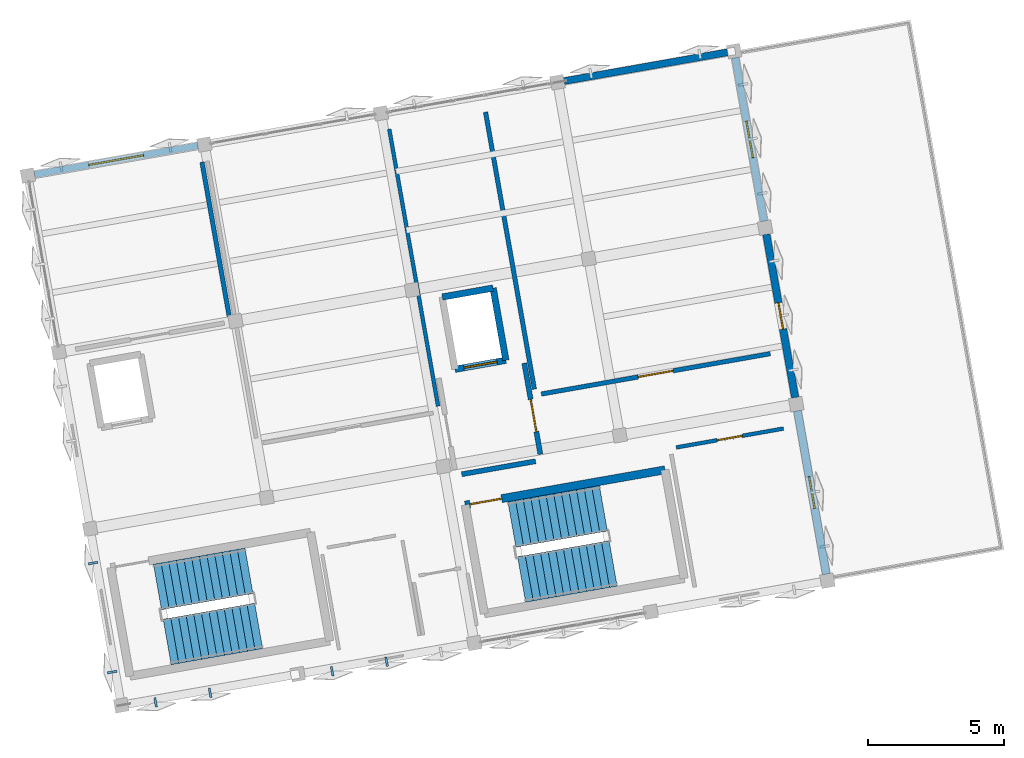
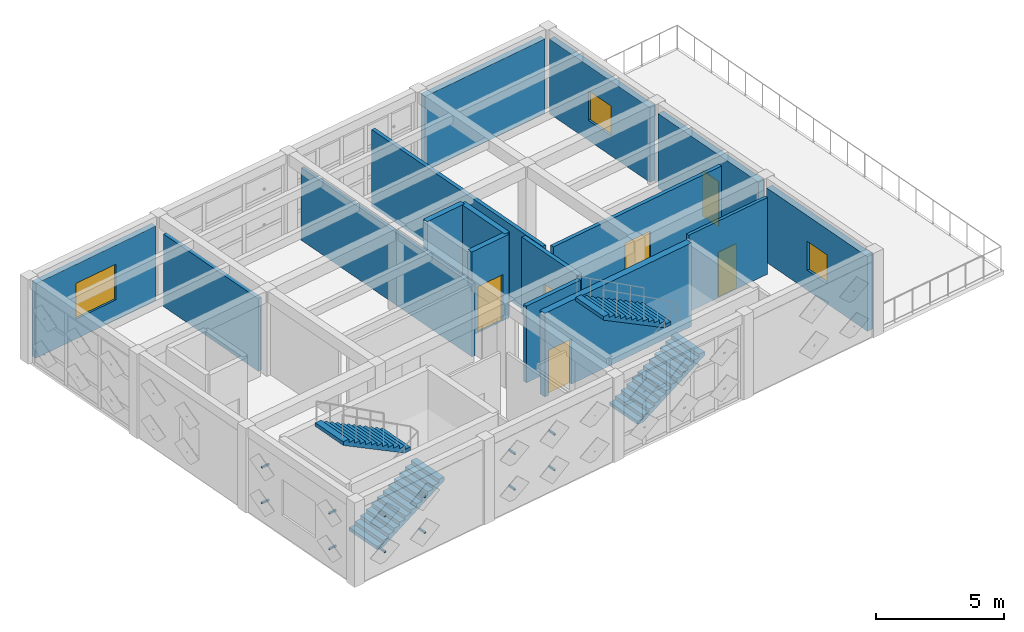
# One storey, part 10 of 13: 16 walls, 12 discrete accessories, 6 doors, 4 stair flights, 3 windows, 9 openings, 2 elements without a shape of their own.
"""IFC4 building model written with IfcOpenShell, lengths in metres."""

from ifc_helpers import new_model, si_unit, direction, frame, frame_2d, origin, origin_2d, place, context, subcontext, project, spatial, polyline, rectangle, hollow_rectangle, outline, extrude, material, layer, layer_set, type_object, element, fill, aggregate, save


model = new_model("IFC4")

# Units and contexts
model_context = context("Model", 3, precision=1e-05, world=origin(), true_north=direction((0.0, 1.0)))
body_context = subcontext(model_context, "Body", "Model", "MODEL_VIEW")
ifc_project = project(units=[si_unit("LENGTHUNIT", "METRE"), si_unit("AREAUNIT", "SQUARE_METRE"), si_unit("VOLUMEUNIT", "CUBIC_METRE"), si_unit("PLANEANGLEUNIT", "RADIAN"), si_unit("MASSUNIT", "GRAM", prefix="KILO")], contexts=[model_context])

# Site, building, storey
site_placement = place(None, origin())
site = spatial("IfcSite", under=ifc_project, at=site_placement, CompositionType="ELEMENT")
building_placement = place(site_placement, origin())
building = spatial("IfcBuilding", under=site, at=building_placement, Name="Kharisveld Research Institute", CompositionType="ELEMENT")
storey_placement = place(building_placement, frame((0.0, 0.0, 45.0)))
storey = spatial("IfcBuildingStorey", under=building, at=storey_placement, Name="L10", CompositionType="ELEMENT", Elevation=45.0)

# Walls
ifc_material_1 = material(Name="Concrete C40/50", Category="concrete")
ifc_layer_1 = layer(ifc_material_1, 0.239990234375)
ifc_layer_set_1 = layer_set([ifc_layer_1], Name="WL_CORE_240")
wall_type_1 = type_object("IfcWallType", Name="WL_CORE_240", PredefinedType="SHEAR", material=ifc_layer_set_1)
wall_1_placement = place(storey_placement, frame((17.01953125, 50.040771484375, 0.0), z_axis=(0.0, 0.0, 1.0), x_axis=(0.984815882103, 0.173602068988, 0.0)))
element("IfcWall", 1, at=wall_1_placement, inside=storey, type_object=wall_type_1, Name="WL:LFT:FFL-01:L10:N", PredefinedType="SHEAR", context=body_context, shape_type="SweptSolid", body=[
    extrude(rectangle(XDim=1.89990234375, YDim=0.239990234375, at=frame_2d((0.949951171875, 0.0))), origin(), (0.0, 0.0, 1.0), 3.97998046875),
])
wall_2_placement = place(storey_placement, frame((18.890625, 50.37060546875, 0.0), z_axis=(0.0, 0.0, 1.0), x_axis=(0.173615102578, -0.98481358447, 0.0)))
element("IfcWall", 2, at=wall_2_placement, inside=storey, type_object=wall_type_1, Name="WL:LFT:FFL-01:L10:E", PredefinedType="SHEAR", context=body_context, shape_type="SweptSolid", body=[
    extrude(rectangle(XDim=2.699951171875, YDim=0.239990234375, at=frame_2d((1.35009765625, 0.0))), origin(), (0.0, 0.0, 1.0), 3.97998046875),
])

# Wall, opening, door
wall_3_placement = place(storey_placement, frame((19.359375, 47.711669921875, 0.0), z_axis=(0.0, 0.0, 1.0), x_axis=(-0.984815882103, -0.173602068988, 0.0)))
wall_3 = element("IfcWall", 3, at=wall_3_placement, inside=storey, type_object=wall_type_1, Name="WL:LFT:FFL-01:L10:S", PredefinedType="SHEAR", context=body_context, shape_type="SweptSolid", body=[
    extrude(rectangle(XDim=1.89990234375, YDim=0.239990234375, at=frame_2d((0.949951171875, 0.0))), origin(), (0.0, 0.0, 1.0), 3.97998046875),
])
opening_1_placement = place(wall_3_placement, frame((0.324951171875, 0.0, 0.0)))
opening_1 = element("IfcOpeningElement", 4, at=opening_1_placement, cuts=wall_3, Name="Opening LD-02", PredefinedType="OPENING", context=body_context, shape_type="SweptSolid", body=[
    extrude(rectangle(XDim=1.25, YDim=2.199951171875, at=frame_2d((0.625, 1.10009765625))), frame((0.0, 0.1201171875, 0.0), z_axis=(0.0, -1.0, 0.0), x_axis=(1.0, 0.0, 0.0)), (0.0, 0.0, 1.0), 0.239990234375),
])
ifc_material_2 = material(Name="Flush Painted Hardwood and Anodised Aluminium", Category="wood")
door_type_1 = type_object("IfcDoorType", Name="DR_LFT_125", OperationType="SLIDING_TO_RIGHT", PredefinedType="DOOR", material=ifc_material_2)
door_1_placement = place(opening_1_placement, origin())
door_1 = element("IfcDoor", 5, at=door_1_placement, inside=storey, type_object=door_type_1, Name="FFL-01 Lift Landing Door L10", OperationType="SLIDING_TO_RIGHT", OverallHeight=2.199951171875, OverallWidth=1.25, PredefinedType="DOOR", context=body_context, shape_type="SweptSolid", body=[
    extrude(rectangle(XDim=1.25, YDim=2.199951171875, at=frame_2d((0.625, 1.10009765625))), frame((0.0, 0.02490234375, 0.0), z_axis=(0.0, -1.0, 0.0), x_axis=(1.0, 0.0, 0.0)), (0.0, 0.0, 1.0), 0.050048828125),
])
fill(opening_1, door_1)

ifc_material_3 = material(Name="Concrete C40/50", Category="concrete")
ifc_layer_2 = layer(ifc_material_3, 0.300048828125)
ifc_layer_set_2 = layer_set([ifc_layer_2], Name="WL_CORE_300")
wall_type_2 = type_object("IfcWallType", Name="WL_CORE_300", PredefinedType="SHEAR", material=ifc_layer_set_2)
wall_4_placement = place(storey_placement, frame((17.862548828125, 42.380859375, 0.0), z_axis=(0.0, 0.0, 1.0), x_axis=(0.984808225754, 0.173645496596, 0.0)))
wall_4 = element("IfcWall", 6, at=wall_4_placement, inside=storey, type_object=wall_type_2, Name="WL:STR:ST2:L10:N", PredefinedType="SHEAR", context=body_context, shape_type="SweptSolid", body=[
    extrude(rectangle(XDim=7.469970703125, YDim=0.300048828125, at=frame_2d((3.73486328125, 0.0))), origin(), (0.0, 0.0, 1.0), 3.97998046875),
])
opening_2_placement = place(wall_4_placement, frame((0.179931640625, 0.0, 0.0)))
opening_2 = element("IfcOpeningElement", 7, at=opening_2_placement, cuts=wall_4, Name="Opening DS-025", PredefinedType="OPENING", context=body_context, shape_type="SweptSolid", body=[
    extrude(rectangle(XDim=1.179931640625, YDim=2.14990234375, at=frame_2d((0.58984375, 1.074951171875))), frame((0.0, 0.14990234375, 0.0), z_axis=(0.0, -1.0, 0.0), x_axis=(1.0, 0.0, 0.0)), (0.0, 0.0, 1.0), 0.300048828125),
])
ifc_material_4 = material(Name="Flush Painted Hardwood and Anodised Aluminium", Category="wood")
door_type_2 = type_object("IfcDoorType", Name="DR_FD60_118", OperationType="NOTDEFINED", PredefinedType="DOOR", material=ifc_material_4)
door_2_placement = place(opening_2_placement, origin())
door_2 = element("IfcDoor", 8, at=door_2_placement, inside=storey, type_object=door_type_2, Name="DR:STR:ST2:L10", OperationType="SINGLE_SWING_RIGHT", OverallHeight=2.14990234375, OverallWidth=1.179931640625, PredefinedType="DOOR", context=body_context, shape_type="SweptSolid", body=[
    extrude(rectangle(XDim=1.179931640625, YDim=2.14990234375, at=frame_2d((0.58984375, 1.074951171875))), frame((0.0, 0.02490234375, 0.0), z_axis=(0.0, -1.0, 0.0), x_axis=(1.0, 0.0, 0.0)), (0.0, 0.0, 1.0), 0.050048828125),
])
fill(opening_2, door_2)

# Wall, opening, window
ifc_material_5 = material(Name="Lightweight Acoustic Spandrel", Category="mineral")
ifc_layer_3 = layer(ifc_material_5, 0.2451171875)
ifc_layer_set_3 = layer_set([ifc_layer_3], Name="WL_EXT_245")
wall_type_3 = type_object("IfcWallType", Name="WL_EXT_245", PredefinedType="STANDARD", material=ifc_layer_set_3)
wall_5_placement = place(storey_placement, frame((2.0029296875, 54.5517578125, 0.0), z_axis=(0.0, 0.0, 1.0), x_axis=(0.984807282173, 0.173650847905, 0.0)))
wall_5 = element("IfcWall", 9, at=wall_5_placement, inside=storey, type_object=wall_type_3, Name="WL:V1:L10:N0", PredefinedType="STANDARD", context=body_context, shape_type="SweptSolid", body=[
    extrude(rectangle(XDim=6.110107421875, YDim=0.2451171875, at=frame_2d((3.05517578125, 0.0))), origin(), (0.0, 0.0, 1.0), 3.554931640625),
])
opening_3_placement = place(wall_5_placement, frame((2.030029296875, 0.0, 0.949951171875)))
opening_3 = element("IfcOpeningElement", 10, at=opening_3_placement, cuts=wall_5, Name="Opening WN-20", PredefinedType="OPENING", context=body_context, shape_type="SweptSolid", body=[
    extrude(rectangle(XDim=2.050048828125, YDim=1.699951171875, at=frame_2d((1.02490234375, 0.85009765625))), frame((0.0, 0.12255859375, 0.0), z_axis=(0.0, -1.0, 0.0), x_axis=(1.0, 0.0, 0.0)), (0.0, 0.0, 1.0), 0.2451171875),
])
ifc_material_6 = material(Name="Low-E Double Glazing", Category="glass")
window_type_1 = type_object("IfcWindowType", Name="WN_20", PartitioningType="DOUBLE_PANEL_VERTICAL", PredefinedType="WINDOW", material=ifc_material_6)
window_1_placement = place(opening_3_placement, origin())
window_1 = element("IfcWindow", 11, at=window_1_placement, inside=storey, type_object=window_type_1, Name="WN:V1:L10:N0", OverallHeight=1.699951171875, OverallWidth=2.050048828125, PartitioningType="SINGLE_PANEL", PredefinedType="WINDOW", context=body_context, shape_type="SweptSolid", body=[
    extrude(rectangle(XDim=2.050048828125, YDim=1.699951171875, at=frame_2d((1.02490234375, 0.85009765625))), frame((0.0, 0.030029296875, 0.0), z_axis=(0.0, -1.0, 0.0), x_axis=(1.0, 0.0, 0.0)), (0.0, 0.0, 1.0), 0.06005859375),
])
fill(opening_3, window_1)

# Wall
ifc_material_7 = material(Name="Precast Concrete C40/50 Thermal Wall", Category="concrete")
ifc_layer_4 = layer(ifc_material_7, 0.260009765625)
ifc_layer_set_4 = layer_set([ifc_layer_4], Name="WL_EXT_260")
wall_type_4 = type_object("IfcWallType", Name="WL_EXT_260", PredefinedType="STANDARD", material=ifc_layer_set_4)
wall_6_placement = place(storey_placement, frame((21.502197265625, 57.989990234375, 0.0), z_axis=(0.0, 0.0, 1.0), x_axis=(0.984807282173, 0.173650847905, 0.0)))
element("IfcWall", 12, at=wall_6_placement, inside=storey, type_object=wall_type_4, Name="WL:V1:L10:N3", PredefinedType="STANDARD", context=body_context, shape_type="SweptSolid", body=[
    extrude(rectangle(XDim=6.110107421875, YDim=0.260009765625, at=frame_2d((3.05517578125, 0.0))), origin(), (0.0, 0.0, 1.0), 3.554931640625),
])

# Wall, opening, window
wall_7_placement = place(storey_placement, frame((27.80322265625, 58.852294921875, 0.0), z_axis=(0.0, 0.0, 1.0), x_axis=(0.173650847905, -0.984807282173, 0.0)))
wall_7 = element("IfcWall", 13, at=wall_7_placement, inside=storey, type_object=wall_type_4, Name="WL:V1:L10:E3", PredefinedType="STANDARD", context=body_context, shape_type="SweptSolid", body=[
    extrude(rectangle(XDim=6.110107421875, YDim=0.260009765625, at=frame_2d((3.05517578125, 0.0))), origin(), (0.0, 0.0, 1.0), 3.554931640625),
])
opening_4_placement = place(wall_7_placement, frame((2.3701171875, 0.0, 0.949951171875)))
opening_4 = element("IfcOpeningElement", 14, at=opening_4_placement, cuts=wall_7, Name="Opening WN-23", PredefinedType="OPENING", context=body_context, shape_type="SweptSolid", body=[
    extrude(rectangle(XDim=1.3701171875, YDim=1.419921875, at=frame_2d((0.68505859375, 0.7099609375))), frame((0.0, 0.1298828125, 0.0), z_axis=(0.0, -1.0, 0.0), x_axis=(1.0, 0.0, 0.0)), (0.0, 0.0, 1.0), 0.260009765625),
])
ifc_material_8 = material(Name="Low-E Double Glazing", Category="glass")
window_type_2 = type_object("IfcWindowType", Name="WN_23", PartitioningType="DOUBLE_PANEL_VERTICAL", PredefinedType="WINDOW", material=ifc_material_8)
window_2_placement = place(opening_4_placement, origin())
window_2 = element("IfcWindow", 15, at=window_2_placement, inside=storey, type_object=window_type_2, Name="WN:V1:L10:E3", OverallHeight=1.419921875, OverallWidth=1.3701171875, PartitioningType="SINGLE_PANEL", PredefinedType="WINDOW", context=body_context, shape_type="SweptSolid", body=[
    extrude(rectangle(XDim=1.3701171875, YDim=1.419921875, at=frame_2d((0.68505859375, 0.7099609375))), frame((0.0, 0.030029296875, 0.0), z_axis=(0.0, -1.0, 0.0), x_axis=(1.0, 0.0, 0.0)), (0.0, 0.0, 1.0), 0.06005859375),
])
fill(opening_4, window_2)

# Wall, opening, door
ifc_material_9 = material(Name="Precast Concrete C40/50 Thermal Wall", Category="concrete")
ifc_layer_5 = layer(ifc_material_9, 0.27490234375)
ifc_layer_set_5 = layer_set([ifc_layer_5], Name="WL_EXT_275")
wall_type_5 = type_object("IfcWallType", Name="WL_EXT_275", PredefinedType="STANDARD", material=ifc_layer_set_5)
wall_8_placement = place(storey_placement, frame((28.94921875, 52.3525390625, 0.0), z_axis=(0.0, 0.0, 1.0), x_axis=(0.173650847905, -0.984807282173, 0.0)))
wall_8 = element("IfcWall", 16, at=wall_8_placement, inside=storey, type_object=wall_type_5, Name="WL:V1:L10:E2", PredefinedType="STANDARD", context=body_context, shape_type="SweptSolid", body=[
    extrude(rectangle(XDim=6.110107421875, YDim=0.27490234375, at=frame_2d((3.05517578125, 0.0))), origin(), (0.0, 0.0, 1.0), 3.554931640625),
])
opening_5_placement = place(wall_8_placement, frame((2.56494140625, 0.0, 0.0)))
opening_5 = element("IfcOpeningElement", 17, at=opening_5_placement, cuts=wall_8, Name="Opening DE-108", PredefinedType="OPENING", context=body_context, shape_type="SweptSolid", body=[
    extrude(rectangle(XDim=0.97998046875, YDim=2.14990234375, at=frame_2d((0.489990234375, 1.074951171875))), frame((0.0, 0.137451171875, 0.0), z_axis=(0.0, -1.0, 0.0), x_axis=(1.0, 0.0, 0.0)), (0.0, 0.0, 1.0), 0.27490234375),
])
ifc_material_10 = material(Name="Thermally Broken Powder-Coated Aluminium", Category="aluminium")
door_type_3 = type_object("IfcDoorType", Name="DR_EXT_098", OperationType="NOTDEFINED", PredefinedType="DOOR", material=ifc_material_10)
door_3_placement = place(opening_5_placement, origin())
door_3 = element("IfcDoor", 18, at=door_3_placement, inside=storey, type_object=door_type_3, Name="DR:V1:L10:TER_E2", OperationType="SINGLE_SWING_LEFT", OverallHeight=2.14990234375, OverallWidth=0.97998046875, PredefinedType="DOOR", context=body_context, shape_type="SweptSolid", body=[
    extrude(rectangle(XDim=0.97998046875, YDim=2.14990234375, at=frame_2d((0.489990234375, 1.074951171875))), frame((0.0, 0.02490234375, 0.0), z_axis=(0.0, -1.0, 0.0), x_axis=(1.0, 0.0, 0.0)), (0.0, 0.0, 1.0), 0.050048828125),
])
fill(opening_5, door_3)

# Wall, opening, window
ifc_material_11 = material(Name="Precast Concrete C40/50 Thermal Wall", Category="concrete")
ifc_layer_6 = layer(ifc_material_11, 0.2900390625)
ifc_layer_set_6 = layer_set([ifc_layer_6], Name="WL_EXT_290")
wall_type_6 = type_object("IfcWallType", Name="WL_EXT_290", PredefinedType="STANDARD", material=ifc_layer_set_6)
wall_9_placement = place(storey_placement, frame((30.095458984375, 45.852783203125, 0.0), z_axis=(0.0, 0.0, 1.0), x_axis=(0.173657681232, -0.98480607723, 0.0)))
wall_9 = element("IfcWall", 19, at=wall_9_placement, inside=storey, type_object=wall_type_6, Name="WL:V1:L10:E1", PredefinedType="STANDARD", context=body_context, shape_type="SweptSolid", body=[
    extrude(rectangle(XDim=6.10986328125, YDim=0.2900390625, at=frame_2d((3.054931640625, 0.0))), origin(), (0.0, 0.0, 1.0), 3.554931640625),
])
opening_6_placement = place(wall_9_placement, frame((2.4599609375, 0.0, 0.949951171875)))
opening_6 = element("IfcOpeningElement", 20, at=opening_6_placement, cuts=wall_9, Name="Opening WN-21", PredefinedType="OPENING", context=body_context, shape_type="SweptSolid", body=[
    extrude(rectangle(XDim=1.18994140625, YDim=1.3798828125, at=frame_2d((0.594970703125, 0.68994140625))), frame((0.0, 0.14501953125, 0.0), z_axis=(0.0, -1.0, 0.0), x_axis=(1.0, 0.0, 0.0)), (0.0, 0.0, 1.0), 0.2900390625),
])
ifc_material_12 = material(Name="Low-E Double Glazing", Category="glass")
window_type_3 = type_object("IfcWindowType", Name="WN_21", PartitioningType="DOUBLE_PANEL_VERTICAL", PredefinedType="WINDOW", material=ifc_material_12)
window_3_placement = place(opening_6_placement, origin())
window_3 = element("IfcWindow", 21, at=window_3_placement, inside=storey, type_object=window_type_3, Name="WN:V1:L10:E1", OverallHeight=1.3798828125, OverallWidth=1.18994140625, PartitioningType="SINGLE_PANEL", PredefinedType="WINDOW", context=body_context, shape_type="SweptSolid", body=[
    extrude(rectangle(XDim=1.18994140625, YDim=1.3798828125, at=frame_2d((0.594970703125, 0.68994140625))), frame((0.0, 0.030029296875, 0.0), z_axis=(0.0, -1.0, 0.0), x_axis=(1.0, 0.0, 0.0)), (0.0, 0.0, 1.0), 0.06005859375),
])
fill(opening_6, window_3)

# Wall
ifc_material_13 = material(Name="Acoustic Drywall Partition", Category="mineral")
ifc_layer_7 = layer(ifc_material_13, 0.1650390625)
ifc_layer_set_7 = layer_set([ifc_layer_7], Name="WL_LAB_165")
wall_type_7 = type_object("IfcWallType", Name="WL_LAB_165", PredefinedType="PARTITIONING", material=ifc_layer_set_7)
wall_10_placement = place(storey_placement, frame((9.17236328125, 49.33740234375, 0.0), z_axis=(0.0, 0.0, 1.0), x_axis=(-0.173649928941, 0.984807444214, 0.0)))
element("IfcWall", 22, at=wall_10_placement, inside=storey, type_object=wall_type_7, Name="WL:RM:V1:L10:NW10:E", PredefinedType="PARTITIONING", context=body_context, shape_type="SweptSolid", body=[
    extrude(rectangle(XDim=5.760009765625, YDim=0.1650390625, at=frame_2d((2.8798828125, 0.0))), origin(), (0.0, 0.0, 1.0), 3.455078125),
])

# Wall, opening, door
wall_11_placement = place(storey_placement, frame((20.6650390625, 46.469482421875, 0.0), z_axis=(0.0, 0.0, 1.0), x_axis=(0.984804798714, 0.173664931489, 0.0)))
wall_11 = element("IfcWall", 23, at=wall_11_placement, inside=storey, type_object=wall_type_7, Name="WL:RM:V1:L10:BRD:S", PredefinedType="PARTITIONING", context=body_context, shape_type="SweptSolid", body=[
    extrude(rectangle(XDim=8.56005859375, YDim=0.1650390625, at=frame_2d((4.280029296875, 0.0))), origin(), (0.0, 0.0, 1.0), 3.64990234375),
])
opening_7_placement = place(wall_11_placement, frame((3.6298828125, 0.0, 0.0)))
opening_7 = element("IfcOpeningElement", 24, at=opening_7_placement, cuts=wall_11, Name="Opening DI-165", PredefinedType="OPENING", context=body_context, shape_type="SweptSolid", body=[
    extrude(rectangle(XDim=1.300048828125, YDim=2.179931640625, at=frame_2d((0.64990234375, 1.08984375))), frame((0.0, 0.08251953125, 0.0), z_axis=(0.0, -1.0, 0.0), x_axis=(1.0, 0.0, 0.0)), (0.0, 0.0, 1.0), 0.1650390625),
])
ifc_material_14 = material(Name="Flush Painted Hardwood and Anodised Aluminium", Category="wood")
door_type_4 = type_object("IfcDoorType", Name="DR_SEM_130", OperationType="DOUBLE_DOOR_SINGLE_SWING", PredefinedType="DOOR", material=ifc_material_14)
door_4_placement = place(opening_7_placement, origin())
door_4 = element("IfcDoor", 25, at=door_4_placement, inside=storey, type_object=door_type_4, Name="DR:RM:V1:L10:BRD:S", OperationType="DOUBLE_DOOR_SINGLE_SWING", OverallHeight=2.179931640625, OverallWidth=1.300048828125, PredefinedType="DOOR", context=body_context, shape_type="SweptSolid", body=[
    extrude(rectangle(XDim=1.300048828125, YDim=2.179931640625, at=frame_2d((0.64990234375, 1.08984375))), frame((0.0, 0.02490234375, 0.0), z_axis=(0.0, -1.0, 0.0), x_axis=(1.0, 0.0, 0.0)), (0.0, 0.0, 1.0), 0.050048828125),
])
fill(opening_7, door_4)

# Walls
wall_12_placement = place(storey_placement, frame((18.611083984375, 56.8505859375, 0.0), z_axis=(0.0, 0.0, 1.0), x_axis=(0.173654930775, -0.984806562233, 0.0)))
element("IfcWall", 26, at=wall_12_placement, inside=storey, type_object=wall_type_7, Name="WL:RM:V1:L10:BRD:W", PredefinedType="PARTITIONING", context=body_context, shape_type="SweptSolid", body=[
    extrude(rectangle(XDim=10.360107421875, YDim=0.1650390625, at=frame_2d((5.18017578125, 0.0))), origin(), (0.0, 0.0, 1.0), 3.64990234375),
])
ifc_material_15 = material(Name="Masonry Blockwork", Category="masonry")
ifc_layer_8 = layer(ifc_material_15, 0.18505859375)
ifc_layer_set_8 = layer_set([ifc_layer_8], Name="WL_LOB_185")
wall_type_8 = type_object("IfcWallType", Name="WL_LOB_185", PredefinedType="SOLIDWALL", material=ifc_layer_set_8)
wall_13_placement = place(storey_placement, frame((17.7333984375, 43.515625, 0.0), z_axis=(0.0, 0.0, 1.0), x_axis=(0.984808483292, 0.173644035992, 0.0)))
element("IfcWall", 27, at=wall_13_placement, inside=storey, type_object=wall_type_8, Name="WL:RM:V1:L10:FFL:S", PredefinedType="SOLIDWALL", context=body_context, shape_type="SweptSolid", body=[
    extrude(rectangle(XDim=2.760009765625, YDim=0.18505859375, at=frame_2d((1.3798828125, 0.0))), origin(), (0.0, 0.0, 1.0), 3.64990234375),
])

# Wall, opening, door
wall_14_placement = place(storey_placement, frame((20.6298828125, 44.249755859375, 0.0), z_axis=(0.0, 0.0, 1.0), x_axis=(-0.173621956536, 0.984812376145, 0.0)))
wall_14 = element("IfcWall", 28, at=wall_14_placement, inside=storey, type_object=wall_type_8, Name="WL:RM:V1:L10:FFL:E", PredefinedType="SOLIDWALL", context=body_context, shape_type="SweptSolid", body=[
    extrude(rectangle(XDim=3.409912109375, YDim=0.18505859375, at=frame_2d((1.705078125, 0.0))), origin(), (0.0, 0.0, 1.0), 3.64990234375),
])
opening_8_placement = place(wall_14_placement, frame((0.85009765625, 0.0, 0.0)))
opening_8 = element("IfcOpeningElement", 29, at=opening_8_placement, cuts=wall_14, Name="Opening DI-159", PredefinedType="OPENING", context=body_context, shape_type="SweptSolid", body=[
    extrude(rectangle(XDim=1.199951171875, YDim=2.14990234375, at=frame_2d((0.60009765625, 1.074951171875))), frame((0.0, 0.092529296875, 0.0), z_axis=(0.0, -1.0, 0.0), x_axis=(1.0, 0.0, 0.0)), (0.0, 0.0, 1.0), 0.18505859375),
])
ifc_material_16 = material(Name="Flush Painted Hardwood and Anodised Aluminium", Category="wood")
door_type_5 = type_object("IfcDoorType", Name="DR_FD120_120", OperationType="NOTDEFINED", PredefinedType="DOOR", material=ifc_material_16)
door_5_placement = place(opening_8_placement, origin())
door_5 = element("IfcDoor", 30, at=door_5_placement, inside=storey, type_object=door_type_5, Name="DR:RM:V1:L10:FFL:E", OperationType="SINGLE_SWING_RIGHT", OverallHeight=2.14990234375, OverallWidth=1.199951171875, PredefinedType="DOOR", context=body_context, shape_type="SweptSolid", body=[
    extrude(rectangle(XDim=1.199951171875, YDim=2.14990234375, at=frame_2d((0.60009765625, 1.074951171875))), frame((0.0, 0.02490234375, 0.0), z_axis=(0.0, -1.0, 0.0), x_axis=(1.0, 0.0, 0.0)), (0.0, 0.0, 1.0), 0.050048828125),
])
fill(opening_8, door_5)

# Wall
ifc_material_17 = material(Name="Insulated Stud Partition", Category="mineral")
ifc_layer_9 = layer(ifc_material_17, 0.139892578125)
ifc_layer_set_9 = layer_set([ifc_layer_9], Name="WL_OFF_140")
wall_type_9 = type_object("IfcWallType", Name="WL_OFF_140", PredefinedType="PARTITIONING", material=ifc_layer_set_9)
wall_15_placement = place(storey_placement, frame((16.86474609375, 46.02294921875, 0.0), z_axis=(0.0, 0.0, 1.0), x_axis=(-0.173632075677, 0.984810592092, 0.0)))
element("IfcWall", 31, at=wall_15_placement, inside=storey, type_object=wall_type_9, Name="WL:RM:V1:L10:DIR:E", PredefinedType="PARTITIONING", context=body_context, shape_type="SweptSolid", body=[
    extrude(rectangle(XDim=10.360107421875, YDim=0.139892578125, at=frame_2d((5.18017578125, 0.0))), origin(), (0.0, 0.0, 1.0), 3.455078125),
])

# Wall, opening, door
wall_16_placement = place(storey_placement, frame((29.581298828125, 45.198486328125, 0.0), z_axis=(0.0, 0.0, 1.0), x_axis=(-0.984810514369, -0.173632516505, 0.0)))
wall_16 = element("IfcWall", 32, at=wall_16_placement, inside=storey, type_object=wall_type_9, Name="WL:RM:V1:L10:WU10:N", PredefinedType="PARTITIONING", context=body_context, shape_type="SweptSolid", body=[
    extrude(rectangle(XDim=4.010009765625, YDim=0.139892578125, at=frame_2d((2.0048828125, 0.0))), origin(), (0.0, 0.0, 1.0), 3.64990234375),
])
opening_9_placement = place(wall_16_placement, frame((1.534912109375, 0.0, 0.0)))
opening_9 = element("IfcOpeningElement", 33, at=opening_9_placement, cuts=wall_16, Name="Opening DI-166", PredefinedType="OPENING", context=body_context, shape_type="SweptSolid", body=[
    extrude(rectangle(XDim=0.93994140625, YDim=2.1201171875, at=frame_2d((0.469970703125, 1.06005859375))), frame((0.0, 0.06982421875, 0.0), z_axis=(0.0, -1.0, 0.0), x_axis=(1.0, 0.0, 0.0)), (0.0, 0.0, 1.0), 0.139892578125),
])
ifc_material_18 = material(Name="Flush Painted Hardwood and Anodised Aluminium", Category="wood")
door_type_6 = type_object("IfcDoorType", Name="DR_OFF_094", OperationType="NOTDEFINED", PredefinedType="DOOR", material=ifc_material_18)
door_6_placement = place(opening_9_placement, origin())
door_6 = element("IfcDoor", 34, at=door_6_placement, inside=storey, type_object=door_type_6, Name="DR:RM:V1:L10:WU10:N", OperationType="SINGLE_SWING_RIGHT", OverallHeight=2.1201171875, OverallWidth=0.93994140625, PredefinedType="DOOR", context=body_context, shape_type="SweptSolid", body=[
    extrude(rectangle(XDim=0.93994140625, YDim=2.1201171875, at=frame_2d((0.469970703125, 1.06005859375))), frame((0.0, 0.02490234375, 0.0), z_axis=(0.0, -1.0, 0.0), x_axis=(1.0, 0.0, 0.0)), (0.0, 0.0, 1.0), 0.050048828125),
])
fill(opening_9, door_6)

# Stair, stair flights
ifc_material_19 = material(Name="Concrete C40/50", Category="concrete")
stair_type = type_object("IfcStairType", Name="ST_EXIT_170", PredefinedType="TWO_STRAIGHT_RUN_STAIR", material=ifc_material_19)
stair_1_placement = place(storey_placement, origin())
stair_1 = element("IfcStair", 35, at=stair_1_placement, inside=storey, type_object=stair_type, Name="STR:ST1:L10", PredefinedType="TWO_STRAIGHT_RUN_STAIR")
ifc_material_20 = material(Name="Concrete C40/50", Category="concrete")
stair_flight_type = type_object("IfcStairFlightType", Name="SF_RUN_170", PredefinedType="STRAIGHT", material=ifc_material_20)
stair_flight_1_placement = place(storey_placement, frame((6.891357421875, 37.339111328125, 0.0), z_axis=(0.0, 0.0, 1.0), x_axis=(0.984807753012, 0.173648177667, 0.0)))
stair_flight_1 = element("IfcStairFlight", 36, at=stair_flight_1_placement, type_object=stair_flight_type, Name="ST-01 flight 1", NumberOfRisers=13, NumberOfTreads=12, PredefinedType="STRAIGHT", RiserHeight=0.161538, TreadLength=0.285, context=body_context, shape_type="SweptSolid", body=[
    extrude(outline(polyline([(0.0, 0.0), (0.0, 0.16162109375), (0.284912109375, 0.16162109375), (0.284912109375, 0.322998046875), (0.570068359375, 0.322998046875), (0.570068359375, 0.484619140625), (0.85498046875, 0.484619140625), (0.85498046875, 0.646240234375), (1.139892578125, 0.646240234375), (1.139892578125, 0.8076171875), (1.425048828125, 0.8076171875), (1.425048828125, 0.96923828125), (1.7099609375, 0.96923828125), (1.7099609375, 1.130859375), (1.9951171875, 1.130859375), (1.9951171875, 1.292236328125), (2.280029296875, 1.292236328125), (2.280029296875, 1.453857421875), (2.56494140625, 1.453857421875), (2.56494140625, 1.615478515625), (2.85009765625, 1.615478515625), (2.85009765625, 1.77685546875), (3.135009765625, 1.77685546875), (3.135009765625, 1.9384765625), (3.419921875, 1.9384765625), (3.419921875, 2.10009765625), (3.419921875, 1.76611328125), (0.303955078125, 0.0), (0.0, 0.0)])), frame((0.0, 0.85009765625, 0.0), z_axis=(0.0, -1.0, 0.0), x_axis=(1.0, 0.0, 0.0)), (0.0, 0.0, 1.0), 1.699951171875),
])
stair_flight_2_placement = place(storey_placement, frame((9.901611328125, 39.961669921875, 2.10009765625), z_axis=(0.0, 0.0, 1.0), x_axis=(-0.984807753012, -0.173648177667, 0.0)))
stair_flight_2 = element("IfcStairFlight", 37, at=stair_flight_2_placement, type_object=stair_flight_type, Name="ST-01 flight 2", NumberOfRisers=13, NumberOfTreads=12, PredefinedType="STRAIGHT", RiserHeight=0.161538, TreadLength=0.285, context=body_context, shape_type="SweptSolid", body=[
    extrude(outline(polyline([(0.0, 0.0), (0.0, 0.16162109375), (0.284912109375, 0.16162109375), (0.284912109375, 0.322998046875), (0.570068359375, 0.322998046875), (0.570068359375, 0.484619140625), (0.85498046875, 0.484619140625), (0.85498046875, 0.646240234375), (1.139892578125, 0.646240234375), (1.139892578125, 0.8076171875), (1.425048828125, 0.8076171875), (1.425048828125, 0.96923828125), (1.7099609375, 0.96923828125), (1.7099609375, 1.130859375), (1.9951171875, 1.130859375), (1.9951171875, 1.292236328125), (2.280029296875, 1.292236328125), (2.280029296875, 1.453857421875), (2.56494140625, 1.453857421875), (2.56494140625, 1.615478515625), (2.85009765625, 1.615478515625), (2.85009765625, 1.77685546875), (3.135009765625, 1.77685546875), (3.135009765625, 1.9384765625), (3.419921875, 1.9384765625), (3.419921875, 2.10009765625), (3.419921875, 1.76611328125), (0.303955078125, 0.0), (0.0, 0.0)])), frame((0.0, 0.85009765625, 0.0), z_axis=(0.0, -1.0, 0.0), x_axis=(1.0, 0.0, 0.0)), (0.0, 0.0, 1.0), 1.699951171875),
])
aggregate(stair_1, [stair_flight_1, stair_flight_2])

stair_2_placement = place(storey_placement, origin())
stair_2 = element("IfcStair", 38, at=stair_2_placement, inside=storey, type_object=stair_type, Name="STR:ST2:L10", PredefinedType="TWO_STRAIGHT_RUN_STAIR")
stair_flight_3_placement = place(storey_placement, frame((19.93994140625, 39.639892578125, 0.0), z_axis=(0.0, 0.0, 1.0), x_axis=(0.984807753012, 0.173648177667, 0.0)))
stair_flight_3 = element("IfcStairFlight", 39, at=stair_flight_3_placement, type_object=stair_flight_type, Name="ST-02 flight 1", NumberOfRisers=13, NumberOfTreads=12, PredefinedType="STRAIGHT", RiserHeight=0.161538, TreadLength=0.285, context=body_context, shape_type="SweptSolid", body=[
    extrude(outline(polyline([(0.0, 0.0), (0.0, 0.16162109375), (0.284912109375, 0.16162109375), (0.284912109375, 0.322998046875), (0.570068359375, 0.322998046875), (0.570068359375, 0.484619140625), (0.85498046875, 0.484619140625), (0.85498046875, 0.646240234375), (1.139892578125, 0.646240234375), (1.139892578125, 0.8076171875), (1.425048828125, 0.8076171875), (1.425048828125, 0.96923828125), (1.7099609375, 0.96923828125), (1.7099609375, 1.130859375), (1.9951171875, 1.130859375), (1.9951171875, 1.292236328125), (2.280029296875, 1.292236328125), (2.280029296875, 1.453857421875), (2.56494140625, 1.453857421875), (2.56494140625, 1.615478515625), (2.85009765625, 1.615478515625), (2.85009765625, 1.77685546875), (3.135009765625, 1.77685546875), (3.135009765625, 1.9384765625), (3.419921875, 1.9384765625), (3.419921875, 2.10009765625), (3.419921875, 1.76611328125), (0.303955078125, 0.0), (0.0, 0.0)])), frame((0.0, 0.85009765625, 0.0), z_axis=(0.0, -1.0, 0.0), x_axis=(1.0, 0.0, 0.0)), (0.0, 0.0, 1.0), 1.699951171875),
])
stair_flight_4_placement = place(storey_placement, frame((22.9501953125, 42.262451171875, 2.10009765625), z_axis=(0.0, 0.0, 1.0), x_axis=(-0.984807753012, -0.173648177667, 0.0)))
stair_flight_4 = element("IfcStairFlight", 40, at=stair_flight_4_placement, type_object=stair_flight_type, Name="ST-02 flight 2", NumberOfRisers=13, NumberOfTreads=12, PredefinedType="STRAIGHT", RiserHeight=0.161538, TreadLength=0.285, context=body_context, shape_type="SweptSolid", body=[
    extrude(outline(polyline([(0.0, 0.0), (0.0, 0.16162109375), (0.284912109375, 0.16162109375), (0.284912109375, 0.322998046875), (0.570068359375, 0.322998046875), (0.570068359375, 0.484619140625), (0.85498046875, 0.484619140625), (0.85498046875, 0.646240234375), (1.139892578125, 0.646240234375), (1.139892578125, 0.8076171875), (1.425048828125, 0.8076171875), (1.425048828125, 0.96923828125), (1.7099609375, 0.96923828125), (1.7099609375, 1.130859375), (1.9951171875, 1.130859375), (1.9951171875, 1.292236328125), (2.280029296875, 1.292236328125), (2.280029296875, 1.453857421875), (2.56494140625, 1.453857421875), (2.56494140625, 1.615478515625), (2.85009765625, 1.615478515625), (2.85009765625, 1.77685546875), (3.135009765625, 1.77685546875), (3.135009765625, 1.9384765625), (3.419921875, 1.9384765625), (3.419921875, 2.10009765625), (3.419921875, 1.76611328125), (0.303955078125, 0.0), (0.0, 0.0)])), frame((0.0, 0.85009765625, 0.0), z_axis=(0.0, -1.0, 0.0), x_axis=(1.0, 0.0, 0.0)), (0.0, 0.0, 1.0), 1.699951171875),
])
aggregate(stair_2, [stair_flight_3, stair_flight_4])

# Discrete accessories
ifc_material_21 = material(Name="Steel S355JR", Category="steel")
discrete_accessory_type = type_object("IfcDiscreteAccessoryType", Name="BKT_ST_260", PredefinedType="BRACKET")
for number, where, z_axis, x_axis, name in (
    (41, (5.039794921875, 36.2646484375, 1.050048828125), (-0.984804615622, -0.173665969752, 0.0), (0.173665969752, -0.984804615622, 0.0), "BKT-SHD:V1:L10:W0:S0C0"),
    (42, (5.039794921875, 36.2646484375, 2.75), (-0.984804615622, -0.173665969752, 0.0), (0.173665969752, -0.984804615622, 0.0), "BKT-SHD:V1:L10:W0:S0C1"),
):
    element("IfcDiscreteAccessory", number, at=place(storey_placement, frame(where, z_axis=z_axis, x_axis=x_axis)), inside=storey, type_object=discrete_accessory_type, material=ifc_material_21, Name=name, ObjectType="BRACKET", PredefinedType="BRACKET", context=body_context, shape_type="SweptSolid", body=[
        extrude(hollow_rectangle(XDim=0.080078125, YDim=0.080078125, WallThickness=0.0048828125, at=origin_2d()), origin(), (0.0, 0.0, 1.0), 0.35009765625),
    ])
for number, where, z_axis, x_axis, name in (
    (43, (4.332275390625, 40.276123046875, 1.050048828125), (-0.984783558818, -0.173785333909, 0.0), (0.173785333909, -0.984783558818, 0.0), "BKT-SHD:V1:L10:W0:S2C0"),
    (44, (4.332275390625, 40.276123046875, 2.75), (-0.984783558818, -0.173785333909, 0.0), (0.173785333909, -0.984783558818, 0.0), "BKT-SHD:V1:L10:W0:S2C1"),
    (45, (14.939208984375, 36.7880859375, 1.050048828125), (0.173785333909, -0.984783558818, 0.0), (0.984783558818, 0.173785333909, 0.0), "BKT-SHD:V1:L10:S2:S1C0"),
    (46, (14.939208984375, 36.7880859375, 2.75), (0.173785333909, -0.984783558818, 0.0), (0.984783558818, 0.173785333909, 0.0), "BKT-SHD:V1:L10:S2:S1C1"),
):
    element("IfcDiscreteAccessory", number, at=place(storey_placement, frame(where, z_axis=z_axis, x_axis=x_axis)), inside=storey, type_object=discrete_accessory_type, material=ifc_material_21, Name=name, ObjectType="BRACKET", PredefinedType="BRACKET", context=body_context, shape_type="SweptSolid", body=[
        extrude(hollow_rectangle(XDim=0.080078125, YDim=0.080078125, WallThickness=0.0048828125, at=origin_2d()), origin(), (0.0, 0.0, 1.0), 0.349853515625),
    ])
for number, where, z_axis, x_axis, name in (
    (47, (12.933349609375, 36.4345703125, 1.050048828125), (0.173665969752, -0.984804615622, 0.0), (0.984804615622, 0.173665969752, 0.0), "BKT-SHD:V1:L10:S2:S2C0"),
    (48, (12.933349609375, 36.4345703125, 2.75), (0.173665969752, -0.984804615622, 0.0), (0.984804615622, 0.173665969752, 0.0), "BKT-SHD:V1:L10:S2:S2C1"),
    (49, (8.439453125, 35.64208984375, 1.050048828125), (0.173665969752, -0.984804615622, 0.0), (0.984804615622, 0.173665969752, 0.0), "BKT-SHD:V1:L10:S1:S1C0"),
    (50, (8.439453125, 35.64208984375, 2.75), (0.173665969752, -0.984804615622, 0.0), (0.984804615622, 0.173665969752, 0.0), "BKT-SHD:V1:L10:S1:S1C1"),
    (51, (6.433837890625, 35.28857421875, 1.050048828125), (0.172989428414, -0.984923681133, 0.0), (0.984923681133, 0.172989428414, 0.0), "BKT-SHD:V1:L10:S1:S2C0"),
    (52, (6.433837890625, 35.28857421875, 2.75), (0.172989428414, -0.984923681133, 0.0), (0.984923681133, 0.172989428414, 0.0), "BKT-SHD:V1:L10:S1:S2C1"),
):
    element("IfcDiscreteAccessory", number, at=place(storey_placement, frame(where, z_axis=z_axis, x_axis=x_axis)), inside=storey, type_object=discrete_accessory_type, material=ifc_material_21, Name=name, ObjectType="BRACKET", PredefinedType="BRACKET", context=body_context, shape_type="SweptSolid", body=[
        extrude(hollow_rectangle(XDim=0.080078125, YDim=0.080078125, WallThickness=0.0048828125, at=origin_2d()), origin(), (0.0, 0.0, 1.0), 0.35009765625),
    ])

save(model, "model.ifc")
